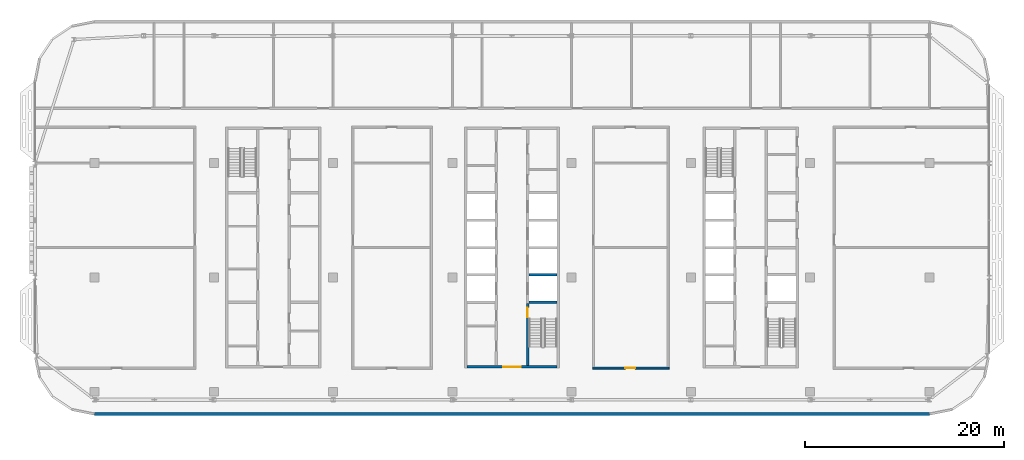
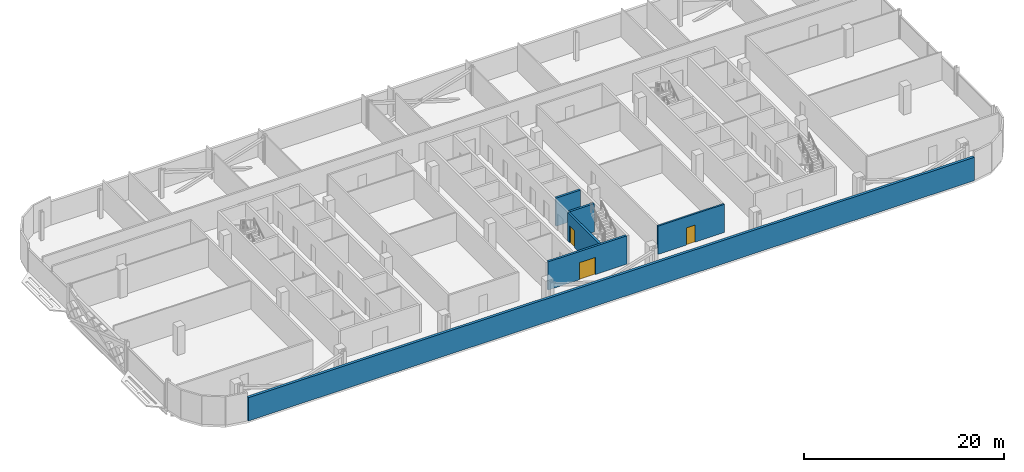
# One storey, part 14 of 28: 6 walls, 3 doors, 3 openings.
"""IFC4 building model written with IfcOpenShell, lengths in metres."""

from ifc_helpers import new_model, si_unit, direction, frame, frame_2d, origin, place, context, subcontext, project, spatial, rectangle, extrude, material, layer, layer_set, type_object, element, fill, save


model = new_model("IFC4")

# Units and contexts
model_context = context("Model", 3, precision=1e-05, world=origin(), true_north=direction((0.0, 1.0)))
body_context = subcontext(model_context, "Body", "Model", "MODEL_VIEW")
ifc_project = project(units=[si_unit("LENGTHUNIT", "METRE"), si_unit("AREAUNIT", "SQUARE_METRE"), si_unit("VOLUMEUNIT", "CUBIC_METRE"), si_unit("PLANEANGLEUNIT", "RADIAN"), si_unit("MASSUNIT", "GRAM", prefix="KILO")], contexts=[model_context])

# Site, building, storey
site_placement = place(None, origin())
site = spatial("IfcSite", under=ifc_project, at=site_placement, CompositionType="ELEMENT")
building_placement = place(site_placement, origin())
building = spatial("IfcBuilding", under=site, at=building_placement, Name="Mahtab Terrace Research Tower", CompositionType="ELEMENT")
storey_placement = place(building_placement, frame((0.0, 0.0, 267.10009765625)))
storey = spatial("IfcBuildingStorey", under=building, at=storey_placement, Name="L65", CompositionType="ELEMENT", Elevation=267.10009765625)

# Wall, opening, door
ifc_material_1 = material(Name="Concrete C70/85", Category="concrete")
ifc_layer_1 = layer(ifc_material_1, 0.25)
ifc_layer_set_1 = layer_set([ifc_layer_1], Name="Core wall 250")
wall_type_1 = type_object("IfcWallType", Name="Core wall 250", PredefinedType="SOLIDWALL", material=ifc_layer_set_1)
wall_1_placement = place(storey_placement, frame((4.550048828125, -9.0, 0.0), z_axis=(0.0, 0.0, 1.0), x_axis=(-1.0, 0.0, 0.0)))
wall_1 = element("IfcWall", 1, at=wall_1_placement, inside=storey, type_object=wall_type_1, Name="Core wall B endS", PredefinedType="SOLIDWALL", context=body_context, shape_type="SweptSolid", body=[
    extrude(rectangle(XDim=9.10009765625, YDim=0.25, at=frame_2d((4.550048828125, 0.0))), origin(), (0.0, 0.0, 1.0), 3.4599609375),
])
opening_1_placement = place(wall_1_placement, frame((3.64990234375, 0.0, 0.0)))
opening_1 = element("IfcOpeningElement", 2, at=opening_1_placement, cuts=wall_1, Name="Opening B-S1", PredefinedType="OPENING", context=body_context, shape_type="SweptSolid", body=[
    extrude(rectangle(XDim=1.800048828125, YDim=2.10009765625, at=frame_2d((0.89990234375, 1.050048828125))), frame((0.0, 0.135009765625, 0.0), z_axis=(0.0, -1.0, 0.0), x_axis=(1.0, 0.0, 0.0)), (0.0, 0.0, 1.0), 0.27001953125),
])
ifc_material_2 = material(Name="Steel fire door", Category="steel")
door_type_1 = type_object("IfcDoorType", Name="Lobby double door 1800x2100 1 HR", OperationType="DOUBLE_DOOR_SINGLE_SWING", PredefinedType="DOOR", material=ifc_material_2)
door_1_placement = place(opening_1_placement, origin())
door_1 = element("IfcDoor", 3, at=door_1_placement, inside=storey, type_object=door_type_1, Name="Core entrance door B S", OperationType="DOUBLE_DOOR_SINGLE_SWING", OverallHeight=2.10009765625, OverallWidth=1.800048828125, PredefinedType="DOOR", context=body_context, shape_type="SweptSolid", body=[
    extrude(rectangle(XDim=1.800048828125, YDim=2.10009765625, at=frame_2d((0.89990234375, 1.050048828125))), frame((0.0, 0.02490234375, 0.0), z_axis=(0.0, -1.0, 0.0), x_axis=(1.0, 0.0, 0.0)), (0.0, 0.0, 1.0), 0.050048828125),
])
fill(opening_1, door_1)

wall_2_placement = place(storey_placement, frame((1.574951171875, -8.875, 0.0), z_axis=(0.0, 0.0, 1.0), x_axis=(0.0, 1.0, 0.0)))
wall_2 = element("IfcWall", 4, at=wall_2_placement, inside=storey, type_object=wall_type_1, Name="Core wall B innerES", PredefinedType="SOLIDWALL", context=body_context, shape_type="SweptSolid", body=[
    extrude(rectangle(XDim=6.25, YDim=0.25, at=frame_2d((3.125, 0.0))), origin(), (0.0, 0.0, 1.0), 3.4599609375),
])
opening_2_placement = place(wall_2_placement, frame((4.85009765625, 0.0, 0.0)))
opening_2 = element("IfcOpeningElement", 5, at=opening_2_placement, cuts=wall_2, Name="Opening B-ST2", PredefinedType="OPENING", context=body_context, shape_type="SweptSolid", body=[
    extrude(rectangle(XDim=1.0, YDim=2.10009765625, at=frame_2d((0.5, 1.050048828125))), frame((0.0, 0.135009765625, 0.0), z_axis=(0.0, -1.0, 0.0), x_axis=(1.0, 0.0, 0.0)), (0.0, 0.0, 1.0), 0.27001953125),
])
door_type_2 = type_object("IfcDoorType", Name="Stair door 1000x2100 1.5 HR", OperationType="NOTDEFINED", PredefinedType="DOOR", material=ifc_material_2)
door_2_placement = place(opening_2_placement, origin())
door_2 = element("IfcDoor", 6, at=door_2_placement, inside=storey, type_object=door_type_2, Name="Stair door ST2 L65", OperationType="SINGLE_SWING_LEFT", OverallHeight=2.10009765625, OverallWidth=1.0, PredefinedType="DOOR", context=body_context, shape_type="SweptSolid", body=[
    extrude(rectangle(XDim=1.0, YDim=2.10009765625, at=frame_2d((0.5, 1.050048828125))), frame((0.0, 0.02490234375, 0.0), z_axis=(0.0, -1.0, 0.0), x_axis=(1.0, 0.0, 0.0)), (0.0, 0.0, 1.0), 0.050048828125),
])
fill(opening_2, door_2)

# Walls
for number, where, z_axis, x_axis, name in (
    (7, (1.699951171875, -2.5, 0.0), (0.0, 0.0, 1.0), (1.0, 0.0, 0.0), "Core wall B divE0"),
    (8, (1.699951171875, 0.25, 0.0), (0.0, 0.0, 1.0), (1.0, 0.0, 0.0), "Core wall B divE1"),
):
    element("IfcWall", number, at=place(storey_placement, frame(where, z_axis=z_axis, x_axis=x_axis)), inside=storey, type_object=wall_type_1, Name=name, PredefinedType="SOLIDWALL", context=body_context, shape_type="SweptSolid", body=[
        extrude(rectangle(XDim=2.85009765625, YDim=0.25, at=frame_2d((1.425048828125, 0.0))), origin(), (0.0, 0.0, 1.0), 3.4599609375),
    ])
ifc_material_3 = material(Name="Black aluminium cladding panel", Category="aluminium")
ifc_layer_2 = layer(ifc_material_3, 0.300048828125)
ifc_layer_set_2 = layer_set([ifc_layer_2], Name="Opaque facade wall 300")
wall_type_2 = type_object("IfcWallType", Name="Opaque facade wall 300", PredefinedType="NOTDEFINED", material=ifc_layer_set_2)
wall_3_placement = place(storey_placement, frame((-42.0, -13.7509765625, 0.0), z_axis=(0.0, 0.0, 1.0), x_axis=(1.0, 0.0, 0.0)))
element("IfcWall", 9, at=wall_3_placement, inside=storey, type_object=wall_type_2, Name="Opaque facade wall L65 S15", PredefinedType="NOTDEFINED", context=body_context, shape_type="SweptSolid", body=[
    extrude(rectangle(XDim=84.0, YDim=0.300048828125, at=frame_2d((42.0, 0.0))), origin(), (0.0, 0.0, 1.0), 2.852783203125),
])

# Wall, opening, door
ifc_material_4 = material(Name="Gypsum board corridor wall on steel studs", Category="steel")
ifc_layer_3 = layer(ifc_material_4, 0.199951171875)
ifc_layer_set_3 = layer_set([ifc_layer_3], Name="WALL CORRIDOR 200")
wall_type_3 = type_object("IfcWallType", Name="WALL CORRIDOR 200", PredefinedType="PARTITIONING", material=ifc_layer_set_3)
wall_4_placement = place(storey_placement, frame((8.10009765625, -9.125, 0.0), z_axis=(0.0, 0.0, 1.0), x_axis=(1.0, 0.0, 0.0)))
wall_4 = element("IfcWall", 10, at=wall_4_placement, inside=storey, type_object=wall_type_3, Name="L65-W003", PredefinedType="PARTITIONING", context=body_context, shape_type="SweptSolid", body=[
    extrude(rectangle(XDim=7.699951171875, YDim=0.199951171875, at=frame_2d((3.85009765625, 0.0))), origin(), (0.0, 0.0, 1.0), 3.4599609375),
])
opening_3_placement = place(wall_4_placement, frame((3.300048828125, 0.0, 0.0)))
opening_3 = element("IfcOpeningElement", 11, at=opening_3_placement, cuts=wall_4, Name="Opening L65-103", PredefinedType="OPENING", context=body_context, shape_type="SweptSolid", body=[
    extrude(rectangle(XDim=1.0, YDim=2.10009765625, at=frame_2d((0.5, 1.050048828125))), frame((0.0, 0.10986328125, 0.0), z_axis=(0.0, -1.0, 0.0), x_axis=(1.0, 0.0, 0.0)), (0.0, 0.0, 1.0), 0.219970703125),
])
ifc_material_5 = material(Name="Timber door leaf in steel frame", Category="steel")
door_type_3 = type_object("IfcDoorType", Name="DOOR 1000X2100 FD30S", OperationType="SINGLE_SWING_LEFT", PredefinedType="DOOR", material=ifc_material_5)
door_3_placement = place(opening_3_placement, origin())
door_3 = element("IfcDoor", 12, at=door_3_placement, inside=storey, type_object=door_type_3, Name="Door L65-103", OperationType="SINGLE_SWING_LEFT", OverallHeight=2.10009765625, OverallWidth=1.0, PredefinedType="DOOR", context=body_context, shape_type="SweptSolid", body=[
    extrude(rectangle(XDim=1.0, YDim=2.10009765625, at=frame_2d((0.5, 1.050048828125))), frame((0.0, 0.02490234375, 0.0), z_axis=(0.0, -1.0, 0.0), x_axis=(1.0, 0.0, 0.0)), (0.0, 0.0, 1.0), 0.050048828125),
])
fill(opening_3, door_3)

save(model, "model.ifc")
